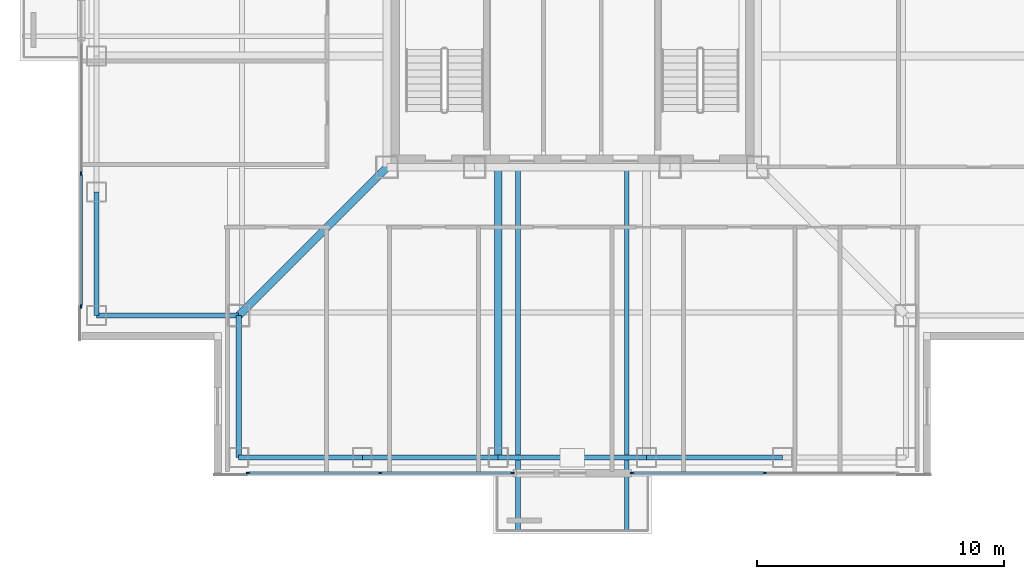
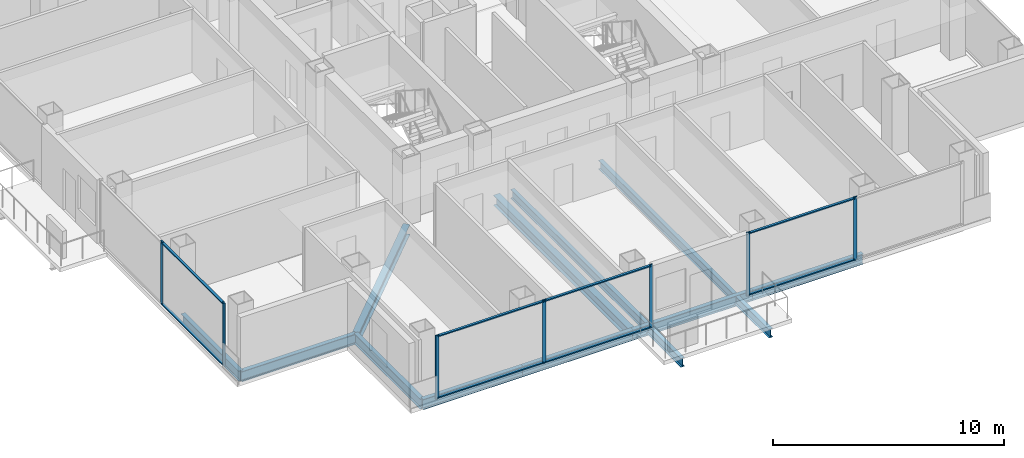
# One storey, part 2 of 16: 15 members, 11 beams, 3 elements without a shape of their own.
"""IFC4 building model written with IfcOpenShell, lengths in metres."""

from ifc_helpers import new_model, si_unit, direction, frame, origin, origin_2d, place, context, subcontext, project, spatial, rectangle, i_section, extrude, material, layer, layer_set, material_profile, profile_set, type_object, element, aggregate, save


model = new_model("IFC4")

# Units and contexts
model_context = context("Model", 3, precision=1e-05, world=origin(), true_north=direction((0.0, 1.0)))
body_context = subcontext(model_context, "Body", "Model", "MODEL_VIEW")
ifc_project = project(units=[si_unit("LENGTHUNIT", "METRE"), si_unit("AREAUNIT", "SQUARE_METRE"), si_unit("VOLUMEUNIT", "CUBIC_METRE"), si_unit("PLANEANGLEUNIT", "RADIAN"), si_unit("MASSUNIT", "GRAM", prefix="KILO")], contexts=[model_context])

# Site, building, storey
site_placement = place(None, origin())
site = spatial("IfcSite", under=ifc_project, at=site_placement, CompositionType="ELEMENT")
building_placement = place(site_placement, origin())
building = spatial("IfcBuilding", under=site, at=building_placement, Name="Trevonay Congress Spire", CompositionType="ELEMENT")
storey_placement = place(building_placement, frame((0.0, 0.0, 177.0)))
storey = spatial("IfcBuildingStorey", under=building, at=storey_placement, Name="L45", CompositionType="ELEMENT", Elevation=177.0)

# Beams
ifc_material_1 = material(Name="Steel ASTM A572 Grade 50", Category="steel")
ifc_material_profile_1 = material_profile(ifc_material_1, i_section(OverallWidth=0.194091796875, OverallDepth=0.468994140625, WebThickness=0.011474609375, FlangeThickness=0.01953125, FilletRadius=0.013916015625, at=origin_2d()), Name="W460x106")
ifc_profile_set_1 = profile_set([ifc_material_profile_1], Name="Steel ASTM A572 Grade 50")
beam_type_1 = type_object("IfcBeamType", Name="BM-BAL-LOOKOUT", PredefinedType="BEAM", material=ifc_profile_set_1)
for number, where, z_axis, x_axis, name in (
    (1, (-2.199951171875, -7.5, -0.474609375), (0.0, -1.0, 0.0), (1.0, 0.0, 0.0), "L45 structural beam LKT-L45-S1"),
    (2, (2.199951171875, -7.5, -0.474609375), (0.0, -1.0, 0.0), (1.0, 0.0, 0.0), "L45 structural beam LKT-L45-S2"),
):
    element("IfcBeam", number, at=place(storey_placement, frame(where, z_axis=z_axis, x_axis=x_axis)), inside=storey, type_object=beam_type_1, Name=name, PredefinedType="BEAM", context=body_context, shape_type="SweptSolid", body=[
        extrude(i_section(OverallWidth=0.194091796875, OverallDepth=0.468994140625, WebThickness=0.011474609375, FlangeThickness=0.01953125, FilletRadius=0.013916015625, at=origin_2d()), origin(), (0.0, 0.0, 1.0), 14.75),
    ])
ifc_material_profile_2 = material_profile(ifc_material_1, i_section(OverallWidth=0.31201171875, OverallDepth=0.54296875, WebThickness=0.0126953125, FlangeThickness=0.020263671875, FilletRadius=0.014892578125, at=origin_2d()), Name="W530x150")
ifc_profile_set_2 = profile_set([ifc_material_profile_2], Name="Steel ASTM A572 Grade 50")
beam_type_2 = type_object("IfcBeamType", Name="BM-GIRD-W530X150", PredefinedType="BEAM", material=ifc_profile_set_2)
beam_1_placement = place(storey_placement, frame((-7.5, -7.5, -0.511474609375), z_axis=(-0.707106781187, -0.707106781187, 0.0), x_axis=(0.707106781187, -0.707106781187, 0.0)))
element("IfcBeam", 3, at=beam_1_placement, inside=storey, type_object=beam_type_2, Name="L45 structural beam BM-L45-CDSW", PredefinedType="BEAM", context=body_context, shape_type="SweptSolid", body=[
    extrude(i_section(OverallWidth=0.31201171875, OverallDepth=0.54296875, WebThickness=0.0126953125, FlangeThickness=0.020263671875, FilletRadius=0.014892578125, at=origin_2d()), origin(), (0.0, 0.0, 1.0), 8.4853515625),
])
beam_2_placement = place(storey_placement, frame((-3.0, -7.5, -0.511474609375), z_axis=(0.0, -1.0, 0.0), x_axis=(1.0, 0.0, 0.0)))
element("IfcBeam", 4, at=beam_2_placement, inside=storey, type_object=beam_type_2, Name="L45 structural beam BM-L45-GS-M", PredefinedType="BEAM", context=body_context, shape_type="SweptSolid", body=[
    extrude(i_section(OverallWidth=0.31201171875, OverallDepth=0.54296875, WebThickness=0.0126953125, FlangeThickness=0.020263671875, FilletRadius=0.014892578125, at=origin_2d()), origin(), (0.0, 0.0, 1.0), 11.75),
])
ifc_material_profile_3 = material_profile(ifc_material_1, i_section(OverallWidth=0.2119140625, OverallDepth=0.5439453125, WebThickness=0.01318359375, FlangeThickness=0.021240234375, FilletRadius=0.014892578125, at=origin_2d()), Name="W530x123")
ifc_profile_set_3 = profile_set([ifc_material_profile_3], Name="Steel ASTM A572 Grade 50")
beam_type_3 = type_object("IfcBeamType", Name="BM-RING-W530X123", PredefinedType="BEAM", material=ifc_profile_set_3)
for number, where, z_axis, x_axis, name in (
    (5, (-13.5, -19.25, -0.511962890625), (1.0, 0.0, 0.0), (0.0, 1.0, 0.0), "L45 structural beam BM-L45-PS1"),
    (6, (-19.25, -13.5, -0.511962890625), (0.0, 1.0, 0.0), (-1.0, 0.0, 0.0), "L45 structural beam BM-L45-PW1"),
):
    element("IfcBeam", number, at=place(storey_placement, frame(where, z_axis=z_axis, x_axis=x_axis)), inside=storey, type_object=beam_type_3, Name=name, PredefinedType="BEAM", context=body_context, shape_type="SweptSolid", body=[
        extrude(i_section(OverallWidth=0.2119140625, OverallDepth=0.5439453125, WebThickness=0.01318359375, FlangeThickness=0.021240234375, FilletRadius=0.014892578125, at=origin_2d()), origin(), (0.0, 0.0, 1.0), 5.0),
    ])
beam_3_placement = place(storey_placement, frame((-8.5, -19.25, -0.511962890625), z_axis=(1.0, 0.0, 0.0), x_axis=(0.0, 1.0, 0.0)))
element("IfcBeam", 7, at=beam_3_placement, inside=storey, type_object=beam_type_3, Name="L45 structural beam BM-L45-PS2", PredefinedType="BEAM", context=body_context, shape_type="SweptSolid", body=[
    extrude(i_section(OverallWidth=0.2119140625, OverallDepth=0.5439453125, WebThickness=0.01318359375, FlangeThickness=0.021240234375, FilletRadius=0.014892578125, at=origin_2d()), origin(), (0.0, 0.0, 1.0), 5.5),
])
beam_4_placement = place(storey_placement, frame((-3.0, -19.25, -0.511962890625), z_axis=(1.0, 0.0, 0.0), x_axis=(0.0, 1.0, 0.0)))
element("IfcBeam", 8, at=beam_4_placement, inside=storey, type_object=beam_type_3, Name="L45 structural beam BM-L45-PS3", PredefinedType="BEAM", context=body_context, shape_type="SweptSolid", body=[
    extrude(i_section(OverallWidth=0.2119140625, OverallDepth=0.5439453125, WebThickness=0.01318359375, FlangeThickness=0.021240234375, FilletRadius=0.014892578125, at=origin_2d()), origin(), (0.0, 0.0, 1.0), 6.0),
])
beam_5_placement = place(storey_placement, frame((3.0, -19.25, -0.511962890625), z_axis=(1.0, 0.0, 0.0), x_axis=(0.0, 1.0, 0.0)))
element("IfcBeam", 9, at=beam_5_placement, inside=storey, type_object=beam_type_3, Name="L45 structural beam BM-L45-PS4", PredefinedType="BEAM", context=body_context, shape_type="SweptSolid", body=[
    extrude(i_section(OverallWidth=0.2119140625, OverallDepth=0.5439453125, WebThickness=0.01318359375, FlangeThickness=0.021240234375, FilletRadius=0.014892578125, at=origin_2d()), origin(), (0.0, 0.0, 1.0), 5.5),
])
for number, where, z_axis, x_axis, name in (
    (10, (-13.5, -19.25, -0.511962890625), (0.0, 1.0, 0.0), (-1.0, 0.0, 0.0), "L45 structural beam BM-L45-N1SW"),
    (11, (-19.25, -13.5, -0.511962890625), (1.0, 0.0, 0.0), (0.0, 1.0, 0.0), "L45 structural beam BM-L45-N2SW"),
):
    element("IfcBeam", number, at=place(storey_placement, frame(where, z_axis=z_axis, x_axis=x_axis)), inside=storey, type_object=beam_type_3, Name=name, PredefinedType="BEAM", context=body_context, shape_type="SweptSolid", body=[
        extrude(i_section(OverallWidth=0.2119140625, OverallDepth=0.5439453125, WebThickness=0.01318359375, FlangeThickness=0.021240234375, FilletRadius=0.014892578125, at=origin_2d()), origin(), (0.0, 0.0, 1.0), 5.75),
    ])

# Curtain wall, members
ifc_material_2 = material(Name="Pale Anodised Aluminium EN AW-6063-T6", Category="aluminium")
ifc_layer = layer(ifc_material_2, 0.169921875, Name="Pale Anodised Aluminium EN AW-6063-T6")
ifc_layer_set = layer_set([ifc_layer], Name="Pale Anodised Aluminium EN AW-6063-T6")
curtain_wall_type = type_object("IfcCurtainWallType", Name="CW-SYS04-CORP-PALE-METAL", PredefinedType="NOTDEFINED", material=ifc_layer_set)
curtain_wall_1_placement = place(storey_placement, origin())
curtain_wall_1 = element("IfcCurtainWall", 12, at=curtain_wall_1_placement, inside=storey, type_object=curtain_wall_type, Name="L45 SA unitised curtain wall", PredefinedType="NOTDEFINED")
ifc_material_profile_4 = material_profile(ifc_material_2, rectangle(XDim=0.06005859375, YDim=0.159912109375, at=origin_2d()), Name="CW-MULLION-160-ALUMINIUM")
ifc_profile_set_4 = profile_set([ifc_material_profile_4], Name="Pale Anodised Aluminium EN AW-6063-T6")
member_type_1 = type_object("IfcMemberType", Name="CW-MULLION-160-ALUMINIUM", PredefinedType="MULLION", material=ifc_profile_set_4)
member_1_placement = place(storey_placement, frame((-13.1201171875, -19.8798828125, 0.0), z_axis=(0.0, 0.0, 1.0), x_axis=(0.0, 1.0, 0.0)))
member_1 = element("IfcMember", 13, at=member_1_placement, type_object=member_type_1, Name="CW04 mullion 1", PredefinedType="MULLION", context=body_context, shape_type="SweptSolid", body=[
    extrude(rectangle(XDim=0.06005859375, YDim=0.159912109375, at=origin_2d()), origin(), (0.0, 0.0, 1.0), 3.360107421875),
])
member_2_placement = place(storey_placement, frame((-7.77490234375, -19.8798828125, 0.0), z_axis=(0.0, 0.0, 1.0), x_axis=(0.0, 1.0, 0.0)))
member_2 = element("IfcMember", 14, at=member_2_placement, type_object=member_type_1, Name="CW04 mullion 2", PredefinedType="MULLION", context=body_context, shape_type="SweptSolid", body=[
    extrude(rectangle(XDim=0.06005859375, YDim=0.159912109375, at=origin_2d()), origin(), (0.0, 0.0, 1.0), 3.360107421875),
])
member_3_placement = place(storey_placement, frame((-2.429931640625, -19.8798828125, 0.0), z_axis=(0.0, 0.0, 1.0), x_axis=(0.0, 1.0, 0.0)))
member_3 = element("IfcMember", 15, at=member_3_placement, type_object=member_type_1, Name="CW04 mullion 3", PredefinedType="MULLION", context=body_context, shape_type="SweptSolid", body=[
    extrude(rectangle(XDim=0.06005859375, YDim=0.159912109375, at=origin_2d()), origin(), (0.0, 0.0, 1.0), 3.360107421875),
])

curtain_wall_2_placement = place(storey_placement, origin())
curtain_wall_2 = element("IfcCurtainWall", 16, at=curtain_wall_2_placement, inside=storey, type_object=curtain_wall_type, Name="L45 SB unitised curtain wall", PredefinedType="NOTDEFINED")
member_4_placement = place(storey_placement, frame((2.429931640625, -19.8798828125, 0.0), z_axis=(0.0, 0.0, 1.0), x_axis=(0.0, 1.0, 0.0)))
member_4 = element("IfcMember", 17, at=member_4_placement, type_object=member_type_1, Name="CW04 mullion 1", PredefinedType="MULLION", context=body_context, shape_type="SweptSolid", body=[
    extrude(rectangle(XDim=0.06005859375, YDim=0.159912109375, at=origin_2d()), origin(), (0.0, 0.0, 1.0), 3.360107421875),
])
member_5_placement = place(storey_placement, frame((7.77490234375, -19.8798828125, 0.0), z_axis=(0.0, 0.0, 1.0), x_axis=(0.0, 1.0, 0.0)))
member_5 = element("IfcMember", 18, at=member_5_placement, type_object=member_type_1, Name="CW04 mullion 2", PredefinedType="MULLION", context=body_context, shape_type="SweptSolid", body=[
    extrude(rectangle(XDim=0.06005859375, YDim=0.159912109375, at=origin_2d()), origin(), (0.0, 0.0, 1.0), 3.360107421875),
])

curtain_wall_3_placement = place(storey_placement, origin())
curtain_wall_3 = element("IfcCurtainWall", 19, at=curtain_wall_3_placement, inside=storey, type_object=curtain_wall_type, Name="L45 WA unitised curtain wall", PredefinedType="NOTDEFINED")
member_6_placement = place(storey_placement, frame((-19.8798828125, -13.1201171875, 0.0), z_axis=(0.0, 0.0, 1.0), x_axis=(-1.0, 0.0, 0.0)))
member_6 = element("IfcMember", 20, at=member_6_placement, type_object=member_type_1, Name="CW04 mullion 1", PredefinedType="MULLION", context=body_context, shape_type="SweptSolid", body=[
    extrude(rectangle(XDim=0.06005859375, YDim=0.159912109375, at=origin_2d()), origin(), (0.0, 0.0, 1.0), 3.360107421875),
])
member_7_placement = place(storey_placement, frame((-19.8798828125, -7.77490234375, 0.0), z_axis=(0.0, 0.0, 1.0), x_axis=(-1.0, 0.0, 0.0)))
member_7 = element("IfcMember", 21, at=member_7_placement, type_object=member_type_1, Name="CW04 mullion 2", PredefinedType="MULLION", context=body_context, shape_type="SweptSolid", body=[
    extrude(rectangle(XDim=0.06005859375, YDim=0.159912109375, at=origin_2d()), origin(), (0.0, 0.0, 1.0), 3.360107421875),
])

# Member
ifc_material_profile_5 = material_profile(ifc_material_2, rectangle(XDim=0.1201171875, YDim=0.06005859375, at=origin_2d()), Name="CW-TRANSOM-120-ALUMINIUM")
ifc_profile_set_5 = profile_set([ifc_material_profile_5], Name="Pale Anodised Aluminium EN AW-6063-T6")
member_type_2 = type_object("IfcMemberType", Name="CW-TRANSOM-120-ALUMINIUM", PredefinedType="USERDEFINED", material=ifc_profile_set_5)
member_8_placement = place(storey_placement, frame((-13.090087890625, -19.8798828125, 0.06005859375), z_axis=(1.0, 0.0, 0.0), x_axis=(0.0, 1.0, 0.0)))
member_8 = element("IfcMember", 22, at=member_8_placement, type_object=member_type_2, Name="CW04 transom 1.1", ObjectType="TRANSOM", PredefinedType="USERDEFINED", context=body_context, shape_type="SweptSolid", body=[
    extrude(rectangle(XDim=0.1201171875, YDim=0.06005859375, at=origin_2d()), origin(), (0.0, 0.0, 1.0), 5.28515625),
])

member_9_placement = place(storey_placement, frame((-13.090087890625, -19.8798828125, 3.300048828125), z_axis=(1.0, 0.0, 0.0), x_axis=(0.0, 1.0, 0.0)))
member_9 = element("IfcMember", 23, at=member_9_placement, type_object=member_type_2, Name="CW04 transom 1.2", ObjectType="TRANSOM", PredefinedType="USERDEFINED", context=body_context, shape_type="SweptSolid", body=[
    extrude(rectangle(XDim=0.1201171875, YDim=0.06005859375, at=origin_2d()), origin(), (0.0, 0.0, 1.0), 5.28515625),
])

member_10_placement = place(storey_placement, frame((-7.7451171875, -19.8798828125, 0.06005859375), z_axis=(1.0, 0.0, 0.0), x_axis=(0.0, 1.0, 0.0)))
member_10 = element("IfcMember", 24, at=member_10_placement, type_object=member_type_2, Name="CW04 transom 2.1", ObjectType="TRANSOM", PredefinedType="USERDEFINED", context=body_context, shape_type="SweptSolid", body=[
    extrude(rectangle(XDim=0.1201171875, YDim=0.06005859375, at=origin_2d()), origin(), (0.0, 0.0, 1.0), 5.28515625),
])

member_11_placement = place(storey_placement, frame((-7.7451171875, -19.8798828125, 3.300048828125), z_axis=(1.0, 0.0, 0.0), x_axis=(0.0, 1.0, 0.0)))
member_11 = element("IfcMember", 25, at=member_11_placement, type_object=member_type_2, Name="CW04 transom 2.2", ObjectType="TRANSOM", PredefinedType="USERDEFINED", context=body_context, shape_type="SweptSolid", body=[
    extrude(rectangle(XDim=0.1201171875, YDim=0.06005859375, at=origin_2d()), origin(), (0.0, 0.0, 1.0), 5.28515625),
])

aggregate(curtain_wall_1, [member_1, member_2, member_3, member_8, member_9, member_10, member_11])

member_12_placement = place(storey_placement, frame((2.4599609375, -19.8798828125, 0.06005859375), z_axis=(1.0, 0.0, 0.0), x_axis=(0.0, 1.0, 0.0)))
member_12 = element("IfcMember", 26, at=member_12_placement, type_object=member_type_2, Name="CW04 transom 1.1", ObjectType="TRANSOM", PredefinedType="USERDEFINED", context=body_context, shape_type="SweptSolid", body=[
    extrude(rectangle(XDim=0.1201171875, YDim=0.06005859375, at=origin_2d()), origin(), (0.0, 0.0, 1.0), 5.28515625),
])

member_13_placement = place(storey_placement, frame((2.4599609375, -19.8798828125, 3.300048828125), z_axis=(1.0, 0.0, 0.0), x_axis=(0.0, 1.0, 0.0)))
member_13 = element("IfcMember", 27, at=member_13_placement, type_object=member_type_2, Name="CW04 transom 1.2", ObjectType="TRANSOM", PredefinedType="USERDEFINED", context=body_context, shape_type="SweptSolid", body=[
    extrude(rectangle(XDim=0.1201171875, YDim=0.06005859375, at=origin_2d()), origin(), (0.0, 0.0, 1.0), 5.28515625),
])

aggregate(curtain_wall_2, [member_4, member_5, member_12, member_13])

member_14_placement = place(storey_placement, frame((-19.8798828125, -13.090087890625, 0.06005859375), z_axis=(0.0, 1.0, 0.0), x_axis=(-1.0, 0.0, 0.0)))
member_14 = element("IfcMember", 28, at=member_14_placement, type_object=member_type_2, Name="CW04 transom 1.1", ObjectType="TRANSOM", PredefinedType="USERDEFINED", context=body_context, shape_type="SweptSolid", body=[
    extrude(rectangle(XDim=0.1201171875, YDim=0.06005859375, at=origin_2d()), origin(), (0.0, 0.0, 1.0), 5.28515625),
])

member_15_placement = place(storey_placement, frame((-19.8798828125, -13.090087890625, 3.300048828125), z_axis=(0.0, 1.0, 0.0), x_axis=(-1.0, 0.0, 0.0)))
member_15 = element("IfcMember", 29, at=member_15_placement, type_object=member_type_2, Name="CW04 transom 1.2", ObjectType="TRANSOM", PredefinedType="USERDEFINED", context=body_context, shape_type="SweptSolid", body=[
    extrude(rectangle(XDim=0.1201171875, YDim=0.06005859375, at=origin_2d()), origin(), (0.0, 0.0, 1.0), 5.28515625),
])

aggregate(curtain_wall_3, [member_6, member_7, member_14, member_15])

save(model, "model.ifc")
